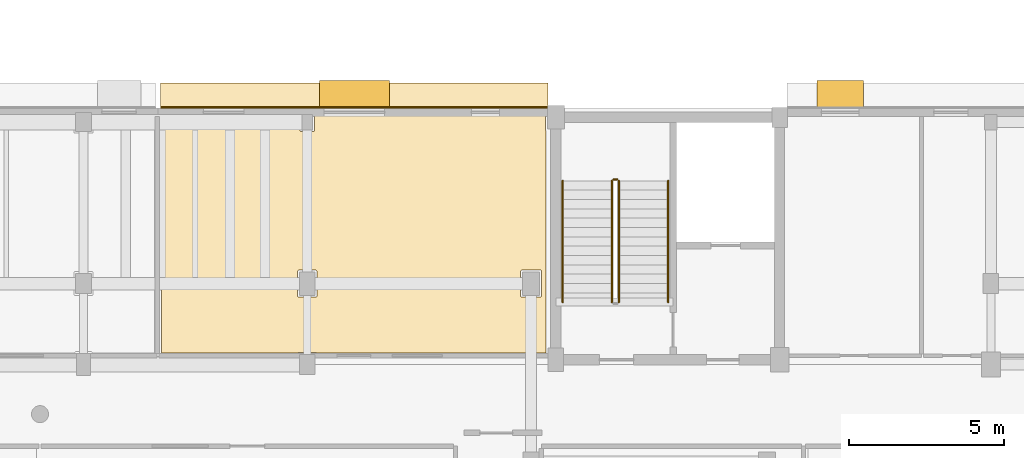
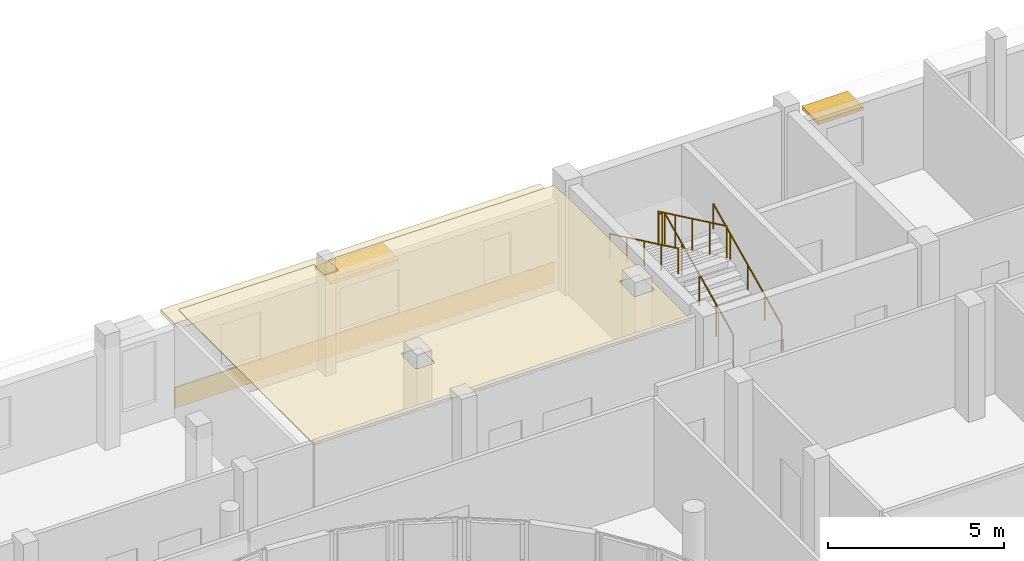
# One storey, part 84 of 89: 5 railings, 3 coverings, 2 shading devices.
"""IFC4 building model written with IfcOpenShell, lengths in metres."""

from ifc_helpers import new_model, si_unit, direction, frame, origin, origin_2d, place, context, subcontext, project, spatial, polyline, rectangle, circle, outline, extrude, material, layer, layer_set, type_object, element, save


model = new_model("IFC4")

# Units and contexts
model_context = context("Model", 3, precision=1e-05, world=origin(), true_north=direction((0.0, 1.0)))
body_context = subcontext(model_context, "Body", "Model", "MODEL_VIEW")
ifc_project = project(units=[si_unit("LENGTHUNIT", "METRE"), si_unit("AREAUNIT", "SQUARE_METRE"), si_unit("VOLUMEUNIT", "CUBIC_METRE"), si_unit("PLANEANGLEUNIT", "RADIAN"), si_unit("MASSUNIT", "GRAM", prefix="KILO")], contexts=[model_context])

# Site, building, storey
site_placement = place(None, origin())
site = spatial("IfcSite", under=ifc_project, at=site_placement, CompositionType="ELEMENT")
building_placement = place(site_placement, origin())
building = spatial("IfcBuilding", under=site, at=building_placement, Name="Kelanivale Promenade Academy", CompositionType="ELEMENT")
storey_placement = place(building_placement, frame((0.0, 0.0, 12.199951171875)))
storey = spatial("IfcBuildingStorey", under=building, at=storey_placement, Name="L03", CompositionType="ELEMENT", Elevation=12.199951171875)

# Coverings
ifc_material_1 = material(Name="Warm ivory Art Deco stucco frieze band 40 mm", Category="masonry")
ifc_layer_1 = layer(ifc_material_1, 0.0400390625)
ifc_layer_set_1 = layer_set([ifc_layer_1], Name="Warm ivory Art Deco stucco frieze band 40 mm")
covering_type_1 = type_object("IfcCoveringType", Name="COV-CLD2 Warm ivory Art Deco stucco frieze ba", PredefinedType="CLADDING", material=ifc_layer_set_1)
covering_1_placement = place(storey_placement, frame((73.51708984375, 80.25, 2.865234375), z_axis=(0.0, 0.0, 1.0), x_axis=(-1.0, 0.0, 0.0)))
element("IfcCovering", 1, at=covering_1_placement, inside=storey, type_object=covering_type_1, Name="Art Deco projecting 820 mm streamline sunshade eyebrow ledge", PredefinedType="CLADDING", context=body_context, shape_type="SweptSolid", body=[
    extrude(rectangle(XDim=12.47509765625, YDim=0.820068359375, at=origin_2d()), origin(), (0.0, 0.0, 1.0), 0.139892578125),
])
covering_2_placement = place(storey_placement, frame((73.51708984375, 79.864990234375, 0.06005859375), z_axis=(0.0, 0.0, 1.0), x_axis=(-1.0, 0.0, 0.0)))
element("IfcCovering", 2, at=covering_2_placement, inside=storey, type_object=covering_type_1, Name="Art Deco ivory stucco sill frieze band", PredefinedType="CLADDING", context=body_context, shape_type="SweptSolid", body=[
    extrude(rectangle(XDim=12.47509765625, YDim=0.0400390625, at=origin_2d()), origin(), (0.0, 0.0, 1.0), 0.719970703125),
])
ifc_material_2 = material(Name="Acoustic mineral-fibre ceiling tile 25 mm", Category="gypsum")
ifc_layer_2 = layer(ifc_material_2, 0.02490234375)
ifc_layer_set_2 = layer_set([ifc_layer_2], Name="Acoustic mineral-fibre ceiling tile 25 mm")
covering_type_2 = type_object("IfcCoveringType", Name="COV-CLG1 Acoustic mineral-fibre ceiling tile ", PredefinedType="CEILING", material=ifc_layer_set_2)
covering_3_placement = place(storey_placement, frame((0.0, 0.0, 3.550048828125)))
element("IfcCovering", 3, at=covering_3_placement, inside=storey, type_object=covering_type_2, Name="Secondary Classroom North 2 acoustic suspended ceiling", PredefinedType="CEILING", context=body_context, shape_type="SweptSolid", body=[
    extrude(outline(polyline([(79.68994140625, 71.9599609375), (79.68994140625, 72.14501953125), (79.68994140625, 79.117919921875), (79.68994140625, 79.117919921875), (79.68603515625, 79.1201171875), (79.68310546875, 79.1220703125), (79.679931640625, 79.1240234375), (79.677001953125, 79.126953125), (79.674072265625, 79.1298828125), (79.672119140625, 79.133056640625), (79.669921875, 79.135986328125), (79.66796875, 79.139892578125), (79.6669921875, 79.14306640625), (79.666015625, 79.14697265625), (79.6650390625, 79.15087890625), (79.6650390625, 79.155029296875), (79.6650390625, 79.699951171875), (72.220947265625, 79.699951171875), (72.222900390625, 79.697998046875), (72.22607421875, 79.695068359375), (72.22802734375, 79.69189453125), (72.22998046875, 79.68896484375), (72.23193359375, 79.68505859375), (72.23291015625, 79.681884765625), (72.23388671875, 79.677978515625), (72.235107421875, 79.674072265625), (72.235107421875, 79.669921875), (72.235107421875, 79.1298828125), (72.235107421875, 79.1259765625), (72.23388671875, 79.1220703125), (72.23291015625, 79.117919921875), (72.23193359375, 79.114990234375), (72.22998046875, 79.111083984375), (72.22802734375, 79.10791015625), (72.22607421875, 79.10498046875), (72.222900390625, 79.10205078125), (72.219970703125, 79.09912109375), (72.217041015625, 79.096923828125), (72.214111328125, 79.094970703125), (72.2099609375, 79.093017578125), (72.20703125, 79.092041015625), (72.202880859375, 79.091064453125), (72.198974609375, 79.090087890625), (72.195068359375, 79.090087890625), (71.804931640625, 79.090087890625), (71.801025390625, 79.090087890625), (71.797119140625, 79.091064453125), (71.79296875, 79.092041015625), (71.7900390625, 79.093017578125), (71.785888671875, 79.094970703125), (71.782958984375, 79.096923828125), (71.780029296875, 79.09912109375), (71.777099609375, 79.10205078125), (71.77392578125, 79.10498046875), (71.77197265625, 79.10791015625), (71.77001953125, 79.111083984375), (71.76806640625, 79.114990234375), (71.76708984375, 79.117919921875), (71.76611328125, 79.1220703125), (71.764892578125, 79.1259765625), (71.764892578125, 79.1298828125), (71.764892578125, 79.669921875), (71.764892578125, 79.674072265625), (71.76611328125, 79.677978515625), (71.76708984375, 79.681884765625), (71.76806640625, 79.68505859375), (71.77001953125, 79.68896484375), (71.77197265625, 79.69189453125), (71.77392578125, 79.695068359375), (71.777099609375, 79.697998046875), (71.779052734375, 79.699951171875), (67.31005859375, 79.699951171875), (67.31005859375, 71.9599609375), (71.693115234375, 71.9599609375), (71.693115234375, 71.9599609375), (71.695068359375, 71.964111328125), (71.697021484375, 71.967041015625), (71.698974609375, 71.969970703125), (71.701904296875, 71.972900390625), (71.705078125, 71.97607421875), (71.7080078125, 71.97802734375), (71.7109375, 71.97998046875), (71.715087890625, 71.98193359375), (71.718017578125, 71.98291015625), (71.721923828125, 71.98388671875), (71.72607421875, 71.985107421875), (71.72998046875, 71.985107421875), (72.27001953125, 71.985107421875), (72.27392578125, 71.985107421875), (72.278076171875, 71.98388671875), (72.281982421875, 71.98291015625), (72.284912109375, 71.98193359375), (72.2890625, 71.97998046875), (72.2919921875, 71.97802734375), (72.294921875, 71.97607421875), (72.298095703125, 71.972900390625), (72.301025390625, 71.969970703125), (72.302978515625, 71.967041015625), (72.304931640625, 71.964111328125), (72.306884765625, 71.9599609375), (72.306884765625, 71.9599609375), (79.68994140625, 71.9599609375)]), holes=[polyline([(79.534912109375, 73.804931640625), (79.534912109375, 73.801025390625), (79.533935546875, 73.797119140625), (79.532958984375, 73.79296875), (79.531982421875, 73.7900390625), (79.530029296875, 73.785888671875), (79.528076171875, 73.782958984375), (79.52587890625, 73.780029296875), (79.52294921875, 73.777099609375), (79.52001953125, 73.77392578125), (79.51708984375, 73.77197265625), (79.513916015625, 73.77001953125), (79.510009765625, 73.76806640625), (79.507080078125, 73.76708984375), (79.5029296875, 73.76611328125), (79.4990234375, 73.764892578125), (79.4951171875, 73.764892578125), (78.905029296875, 73.764892578125), (78.90087890625, 73.764892578125), (78.89697265625, 73.76611328125), (78.89306640625, 73.76708984375), (78.889892578125, 73.76806640625), (78.885986328125, 73.77001953125), (78.883056640625, 73.77197265625), (78.8798828125, 73.77392578125), (78.876953125, 73.777099609375), (78.8740234375, 73.780029296875), (78.8720703125, 73.782958984375), (78.8701171875, 73.785888671875), (78.867919921875, 73.7900390625), (78.866943359375, 73.79296875), (78.865966796875, 73.797119140625), (78.864990234375, 73.801025390625), (78.864990234375, 73.804931640625), (78.864990234375, 74.594970703125), (78.864990234375, 74.59912109375), (78.865966796875, 74.60302734375), (78.866943359375, 74.60693359375), (78.867919921875, 74.610107421875), (78.8701171875, 74.614013671875), (78.8720703125, 74.616943359375), (78.8740234375, 74.6201171875), (78.876953125, 74.623046875), (78.8798828125, 74.6259765625), (78.883056640625, 74.6279296875), (78.885986328125, 74.6298828125), (78.889892578125, 74.632080078125), (78.89306640625, 74.633056640625), (78.89697265625, 74.634033203125), (78.90087890625, 74.635009765625), (78.905029296875, 74.635009765625), (79.4951171875, 74.635009765625), (79.4990234375, 74.635009765625), (79.5029296875, 74.634033203125), (79.507080078125, 74.633056640625), (79.510009765625, 74.632080078125), (79.513916015625, 74.6298828125), (79.51708984375, 74.6279296875), (79.52001953125, 74.6259765625), (79.52294921875, 74.623046875), (79.52587890625, 74.6201171875), (79.528076171875, 74.616943359375), (79.530029296875, 74.614013671875), (79.531982421875, 74.610107421875), (79.532958984375, 74.60693359375), (79.533935546875, 74.60302734375), (79.534912109375, 74.59912109375), (79.534912109375, 74.594970703125), (79.534912109375, 73.804931640625)]), polyline([(72.31005859375, 73.804931640625), (72.31005859375, 73.801025390625), (72.30908203125, 73.797119140625), (72.30810546875, 73.79296875), (72.306884765625, 73.7900390625), (72.304931640625, 73.785888671875), (72.302978515625, 73.782958984375), (72.301025390625, 73.780029296875), (72.298095703125, 73.777099609375), (72.294921875, 73.77392578125), (72.2919921875, 73.77197265625), (72.2890625, 73.77001953125), (72.284912109375, 73.76806640625), (72.281982421875, 73.76708984375), (72.278076171875, 73.76611328125), (72.27392578125, 73.764892578125), (72.27001953125, 73.764892578125), (71.72998046875, 73.764892578125), (71.72607421875, 73.764892578125), (71.721923828125, 73.76611328125), (71.718017578125, 73.76708984375), (71.715087890625, 73.76806640625), (71.7109375, 73.77001953125), (71.7080078125, 73.77197265625), (71.705078125, 73.77392578125), (71.701904296875, 73.777099609375), (71.698974609375, 73.780029296875), (71.697021484375, 73.782958984375), (71.695068359375, 73.785888671875), (71.693115234375, 73.7900390625), (71.69189453125, 73.79296875), (71.69091796875, 73.797119140625), (71.68994140625, 73.801025390625), (71.68994140625, 73.804931640625), (71.68994140625, 74.594970703125), (71.68994140625, 74.59912109375), (71.69091796875, 74.60302734375), (71.69189453125, 74.60693359375), (71.693115234375, 74.610107421875), (71.695068359375, 74.614013671875), (71.697021484375, 74.616943359375), (71.698974609375, 74.6201171875), (71.701904296875, 74.623046875), (71.705078125, 74.6259765625), (71.7080078125, 74.6279296875), (71.7109375, 74.6298828125), (71.715087890625, 74.632080078125), (71.718017578125, 74.633056640625), (71.721923828125, 74.634033203125), (71.72607421875, 74.635009765625), (71.72998046875, 74.635009765625), (72.27001953125, 74.635009765625), (72.27392578125, 74.635009765625), (72.278076171875, 74.634033203125), (72.281982421875, 74.633056640625), (72.284912109375, 74.632080078125), (72.2890625, 74.6298828125), (72.2919921875, 74.6279296875), (72.294921875, 74.6259765625), (72.298095703125, 74.623046875), (72.301025390625, 74.6201171875), (72.302978515625, 74.616943359375), (72.304931640625, 74.614013671875), (72.306884765625, 74.610107421875), (72.30810546875, 74.60693359375), (72.30908203125, 74.60302734375), (72.31005859375, 74.59912109375), (72.31005859375, 74.594970703125), (72.31005859375, 73.804931640625)])]), origin(), (0.0, 0.0, 1.0), 0.02490234375),
])

# Railings
ifc_material_3 = material(Name="Brushed stainless steel grade 316", Category="steel")
railing_type_1 = type_object("IfcRailingType", Name="GR-01 Stair Guard 1100mm", PredefinedType="BALUSTRADE", material=ifc_material_3)
railing_1_placement = place(storey_placement, frame((82.02490234375, 73.60498046875, 0.142822265625)))
element("IfcRailing", 4, at=railing_1_placement, inside=storey, type_object=railing_type_1, Name="L03 ST-02 stair guard 1", PredefinedType="BALUSTRADE", context=body_context, shape_type="SweptSolid", body=[
    extrude(circle(Radius=0.02392578125, at=origin_2d()), frame((0.0, 0.0, 1.09619140625), z_axis=(0.0, 0.902853205547, 0.429948937937), x_axis=(-1.0, 0.0, 0.0)), (0.0, 0.0, 1.0), 4.319580078125),
    extrude(circle(Radius=0.02099609375, at=origin_2d()), origin(), (0.0, 0.0, 1.0), 1.072021484375),
    extrude(circle(Radius=0.02099609375, at=origin_2d()), frame((0.0, 0.97509765625, 0.46435546875)), (0.0, 0.0, 1.0), 1.072021484375),
    extrude(circle(Radius=0.02099609375, at=origin_2d()), frame((0.0, 1.949951171875, 0.9287109375)), (0.0, 0.0, 1.0), 1.072021484375),
    extrude(circle(Radius=0.02099609375, at=origin_2d()), frame((0.0, 2.9248046875, 1.392822265625)), (0.0, 0.0, 1.0), 1.072021484375),
    extrude(circle(Radius=0.02099609375, at=origin_2d()), frame((0.0, 3.89990234375, 1.857177734375)), (0.0, 0.0, 1.0), 1.072021484375),
])
railing_2_placement = place(storey_placement, frame((81.97509765625, 77.554931640625, 2.0)))
element("IfcRailing", 5, at=railing_2_placement, inside=storey, type_object=railing_type_1, Name="L03 ST-02 stair guard 2", PredefinedType="BALUSTRADE", context=body_context, shape_type="SweptSolid", body=[
    extrude(circle(Radius=0.02392578125, at=origin_2d()), frame((0.0, 0.0, 1.09619140625), z_axis=(-1.0, 0.0, 0.0), x_axis=(0.0, -1.0, 0.0)), (0.0, 0.0, 1.0), 0.1201171875),
    extrude(circle(Radius=0.02099609375, at=origin_2d()), origin(), (0.0, 0.0, 1.0), 1.072021484375),
    extrude(circle(Radius=0.02099609375, at=origin_2d()), frame((-0.1201171875, 0.0, 0.0)), (0.0, 0.0, 1.0), 1.072021484375),
])
railing_3_placement = place(storey_placement, frame((81.804931640625, 77.5048828125, 2.142822265625)))
element("IfcRailing", 6, at=railing_3_placement, inside=storey, type_object=railing_type_1, Name="L03 ST-02 stair guard 3", PredefinedType="BALUSTRADE", context=body_context, shape_type="SweptSolid", body=[
    extrude(circle(Radius=0.02392578125, at=origin_2d()), frame((0.0, 0.0, 1.09619140625), z_axis=(0.0, -0.902853205547, 0.429948937937), x_axis=(1.0, 0.0, 0.0)), (0.0, 0.0, 1.0), 4.319580078125),
    extrude(circle(Radius=0.02099609375, at=origin_2d()), origin(), (0.0, 0.0, 1.0), 1.072021484375),
    extrude(circle(Radius=0.02099609375, at=origin_2d()), frame((0.0, -0.97509765625, 0.46435546875)), (0.0, 0.0, 1.0), 1.072021484375),
    extrude(circle(Radius=0.02099609375, at=origin_2d()), frame((0.0, -1.949951171875, 0.9287109375)), (0.0, 0.0, 1.0), 1.072021484375),
    extrude(circle(Radius=0.02099609375, at=origin_2d()), frame((0.0, -2.9248046875, 1.392822265625)), (0.0, 0.0, 1.0), 1.072021484375),
    extrude(circle(Radius=0.02099609375, at=origin_2d()), frame((0.0, -3.89990234375, 1.857177734375)), (0.0, 0.0, 1.0), 1.072021484375),
])
railing_type_2 = type_object("IfcRailingType", Name="HR-01 Pitch Handrail 900mm", PredefinedType="HANDRAIL", material=ifc_material_3)
railing_4_placement = place(storey_placement, frame((83.614990234375, 73.60498046875, 0.142822265625)))
element("IfcRailing", 7, at=railing_4_placement, inside=storey, type_object=railing_type_2, Name="L03 ST-02 stair handrail 1", PredefinedType="HANDRAIL", context=body_context, shape_type="SweptSolid", body=[
    extrude(circle(Radius=0.02392578125, at=origin_2d()), frame((0.0, 0.0, 0.8759765625), z_axis=(0.0, 0.902853205547, 0.429948937937), x_axis=(-1.0, 0.0, 0.0)), (0.0, 0.0, 1.0), 4.319580078125),
    extrude(circle(Radius=0.02099609375, at=origin_2d()), origin(), (0.0, 0.0, 1.0), 0.851806640625),
    extrude(circle(Radius=0.02099609375, at=origin_2d()), frame((0.0, 0.97509765625, 0.46435546875)), (0.0, 0.0, 1.0), 0.851806640625),
    extrude(circle(Radius=0.02099609375, at=origin_2d()), frame((0.0, 1.949951171875, 0.9287109375)), (0.0, 0.0, 1.0), 0.851806640625),
    extrude(circle(Radius=0.02099609375, at=origin_2d()), frame((0.0, 2.9248046875, 1.392822265625)), (0.0, 0.0, 1.0), 0.851806640625),
    extrude(circle(Radius=0.02099609375, at=origin_2d()), frame((0.0, 3.89990234375, 1.857177734375)), (0.0, 0.0, 1.0), 0.851806640625),
])
railing_5_placement = place(storey_placement, frame((80.215087890625, 77.5048828125, 2.142822265625)))
element("IfcRailing", 8, at=railing_5_placement, inside=storey, type_object=railing_type_2, Name="L03 ST-02 stair handrail 2", PredefinedType="HANDRAIL", context=body_context, shape_type="SweptSolid", body=[
    extrude(circle(Radius=0.02392578125, at=origin_2d()), frame((0.0, 0.0, 0.8759765625), z_axis=(0.0, -0.902853205547, 0.429948937937), x_axis=(1.0, 0.0, 0.0)), (0.0, 0.0, 1.0), 4.319580078125),
    extrude(circle(Radius=0.02099609375, at=origin_2d()), origin(), (0.0, 0.0, 1.0), 0.851806640625),
    extrude(circle(Radius=0.02099609375, at=origin_2d()), frame((0.0, -0.97509765625, 0.46435546875)), (0.0, 0.0, 1.0), 0.851806640625),
    extrude(circle(Radius=0.02099609375, at=origin_2d()), frame((0.0, -1.949951171875, 0.9287109375)), (0.0, 0.0, 1.0), 0.851806640625),
    extrude(circle(Radius=0.02099609375, at=origin_2d()), frame((0.0, -2.9248046875, 1.392822265625)), (0.0, 0.0, 1.0), 0.851806640625),
    extrude(circle(Radius=0.02099609375, at=origin_2d()), frame((0.0, -3.89990234375, 1.857177734375)), (0.0, 0.0, 1.0), 0.851806640625),
])

# Shading devices
ifc_material_4 = material(Name="Precast concrete C40/50", Category="concrete")
ifc_layer_3 = layer(ifc_material_4, 0.1201171875)
ifc_layer_set_3 = layer_set([ifc_layer_3], Name="Precast concrete C40/50")
shading_device_type = type_object("IfcShadingDeviceType", Name="SHD-01 Art Deco Sunshade Eyebrow 900mm", PredefinedType="USERDEFINED", material=ifc_layer_set_3)
shading_device_1_placement = place(storey_placement, frame((89.14697265625, 80.2900390625, 2.510009765625), z_axis=(0.0, 0.0, 1.0), x_axis=(-1.0, 0.0, 0.0)))
element("IfcShadingDevice", 9, at=shading_device_1_placement, inside=storey, type_object=shading_device_type, Name="Art Deco 900 mm precast chajja window sunshade", ObjectType="SUNSHADE", PredefinedType="USERDEFINED", context=body_context, shape_type="SweptSolid", body=[
    extrude(rectangle(XDim=1.5, YDim=0.89990234375, at=origin_2d()), origin(), (0.0, 0.0, 1.0), 0.1201171875),
])
shading_device_2_placement = place(storey_placement, frame((73.51806640625, 80.2900390625, 2.56005859375), z_axis=(0.0, 0.0, 1.0), x_axis=(-1.0, 0.0, 0.0)))
element("IfcShadingDevice", 10, at=shading_device_2_placement, inside=storey, type_object=shading_device_type, Name="Art Deco 900 mm precast chajja window sunshade", ObjectType="SUNSHADE", PredefinedType="USERDEFINED", context=body_context, shape_type="SweptSolid", body=[
    extrude(rectangle(XDim=2.25, YDim=0.89990234375, at=origin_2d()), origin(), (0.0, 0.0, 1.0), 0.1201171875),
])

save(model, "model.ifc")
